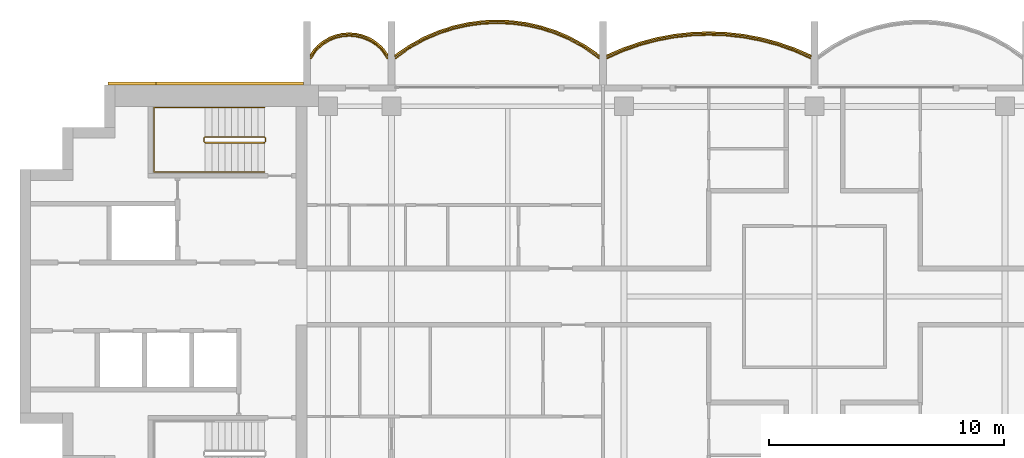
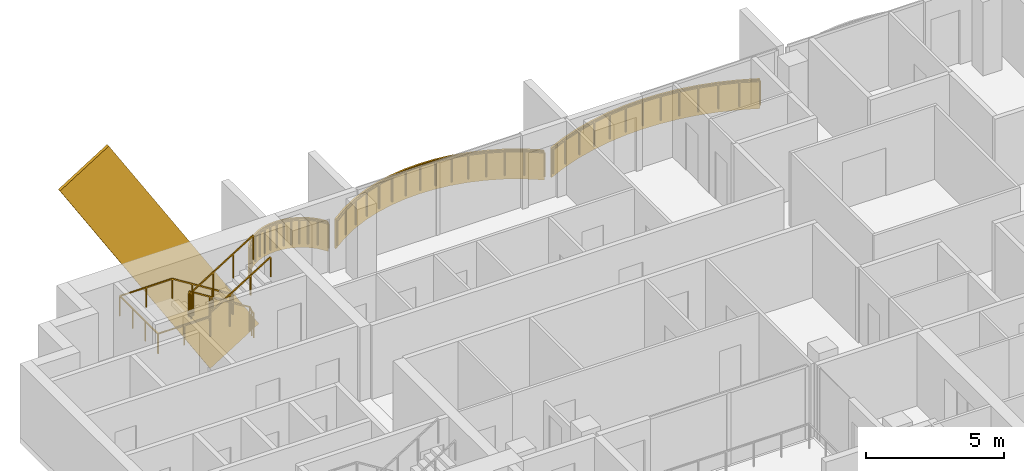
# One storey, part 14 of 16: 5 railings, 4 coverings.
"""IFC4 building model written with IfcOpenShell, lengths in metres."""

import ifcopenshell
import ifcopenshell.guid

model = None  # the IFC model being written
_history = None  # IfcOwnerHistory: only IFC2X3 demands one
_inside = {}  # id of a spatial element -> (the spatial element, [elements in it])
_under = {}  # id of a project, library or spatial element -> (it, [spatial elements below it])
_declared = {}  # id of a project -> (the project, [libraries it declares])
_typed = {}  # id of a type object -> (the type object, [elements of that type])
_made_of = {}  # id of a material, layer set ... -> (it, [elements and type objects made of it])


def new_model(schema):
    """Start an empty IFC model of exactly this schema.

    Asked for "IFC4X3", IfcOpenShell would pick the latest addendum, in which some entities
    have other attributes; the version numbers below select the first issue.
    IFC2X3 requires an IfcOwnerHistory on every rooted entity: one is made here for all.
    """
    global model, _history
    if schema == "IFC4X3":
        model = ifcopenshell.file(schema_version=(4, 3, 0, 0))
    else:
        model = ifcopenshell.file(schema=schema)
    _inside.clear()
    _under.clear()
    _declared.clear()
    _typed.clear()
    _made_of.clear()
    _history = None
    if model.schema == "IFC2X3":
        org = make("IfcOrganization", Name="unknown")
        user = make(
            "IfcPersonAndOrganization",
            ThePerson=make("IfcPerson", FamilyName="unknown"),
            TheOrganization=org,
        )
        app = make(
            "IfcApplication",
            ApplicationDeveloper=org,
            Version="unknown",
            ApplicationFullName="unknown",
            ApplicationIdentifier="unknown",
        )
        _history = make(
            "IfcOwnerHistory",
            OwningUser=user,
            OwningApplication=app,
            ChangeAction="ADDED",
            CreationDate=0,
        )
    return model


def make(cls, **values):
    """One entity of the class cls with the attributes given. An attribute that is None is left unset."""
    return model.create_entity(
        cls, **{name: value for name, value in values.items() if value is not None}
    )


def rooted(cls, **values):
    """An entity with a GlobalId (a new one), such as an element, a storey or a relation."""
    return make(cls, GlobalId=ifcopenshell.guid.new(), OwnerHistory=_history, **values)


def si_unit(unit_type, name, prefix=None):
    """IfcSIUnit, for example si_unit("LENGTHUNIT", "METRE", prefix="MILLI")."""
    return make("IfcSIUnit", UnitType=unit_type, Prefix=prefix, Name=name)


def assignment(units):
    """IfcUnitAssignment: the units of a project."""
    return None if units is None else make("IfcUnitAssignment", Units=units)


def point(xyz):
    """IfcCartesianPoint."""
    return None if xyz is None else make("IfcCartesianPoint", Coordinates=xyz)


def direction(xyz):
    """IfcDirection."""
    return None if xyz is None else make("IfcDirection", DirectionRatios=xyz)


def frame(location, z_axis=None, x_axis=None):
    """IfcAxis2Placement3D, a coordinate frame: its origin and axes. An axis left out is left unset."""
    return make(
        "IfcAxis2Placement3D",
        Location=point(location),
        Axis=direction(z_axis),
        RefDirection=direction(x_axis),
    )


def frame_2d(location, x_axis=None):
    """IfcAxis2Placement2D, a coordinate frame in the plane: its origin and x axis."""
    return make(
        "IfcAxis2Placement2D", Location=point(location), RefDirection=direction(x_axis)
    )


def origin():
    """The frame at (0, 0, 0) with its axes left unset."""
    return frame((0.0, 0.0, 0.0))


def origin_2d():
    """The frame at (0, 0) in the plane with its x axis left unset."""
    return frame_2d((0.0, 0.0))


def place(relative_to, where):
    """IfcLocalPlacement: puts the frame where relative to a parent placement (None: the world)."""
    return make(
        "IfcLocalPlacement", PlacementRelTo=relative_to, RelativePlacement=where
    )


def context(
    kind, dimensions, precision=None, world=None, true_north=None, identifier=None
):
    """IfcGeometricRepresentationContext, for example the 3D "Model" context."""
    return make(
        "IfcGeometricRepresentationContext",
        ContextIdentifier=identifier,
        ContextType=kind,
        CoordinateSpaceDimension=dimensions,
        Precision=precision,
        WorldCoordinateSystem=world,
        TrueNorth=true_north,
    )


def subcontext(parent, identifier, kind, view, scale=None):
    """IfcGeometricRepresentationSubContext, for example "Body" below "Model"."""
    return make(
        "IfcGeometricRepresentationSubContext",
        ContextIdentifier=identifier,
        ContextType=kind,
        ParentContext=parent,
        TargetScale=scale,
        TargetView=view,
    )


def project(units=None, contexts=None):
    """IfcProject with its units and contexts."""
    return rooted(
        "IfcProject",
        Name="project",
        RepresentationContexts=contexts,
        UnitsInContext=assignment(units),
    )


def spatial(cls, under=None, at=None, **own):
    """A site, building, storey or space (cls), placed at a placement, below another one or the project."""
    s = rooted(cls, ObjectPlacement=at, **own)
    if under is not None:
        _under.setdefault(under.id(), (under, []))[1].append(s)
    return s


def polyline(points):
    """IfcPolyline through the points."""
    return make("IfcPolyline", Points=[point(p) for p in points])


def profile(cls, at=None, kind="AREA", **sizes):
    """A parametric profile (cls). Its sizes go by their IFC names, for example OverallWidth=200.0."""
    return make(cls, ProfileType=kind, Position=at, **sizes)


def rectangle(**sizes):
    """IfcRectangleProfileDef."""
    return profile("IfcRectangleProfileDef", **sizes)


def outline(outer, holes=None, kind="AREA"):
    """IfcArbitraryClosedProfileDef: a profile drawn as a closed curve; with holes, ...WithVoids."""
    if holes is None:
        return make("IfcArbitraryClosedProfileDef", ProfileType=kind, OuterCurve=outer)
    return make(
        "IfcArbitraryProfileDefWithVoids",
        ProfileType=kind,
        OuterCurve=outer,
        InnerCurves=holes,
    )


def extrude(swept, where, along, depth):
    """IfcExtrudedAreaSolid: the profile swept, set in the frame where, extruded along a direction by depth."""
    return make(
        "IfcExtrudedAreaSolid",
        SweptArea=swept,
        Position=where,
        ExtrudedDirection=direction(along),
        Depth=depth,
    )


def shape(context_of_items, identifier, shape_type, items):
    """IfcShapeRepresentation: the items that make up one representation, for example the "Body"."""
    return make(
        "IfcShapeRepresentation",
        ContextOfItems=context_of_items,
        RepresentationIdentifier=identifier,
        RepresentationType=shape_type,
        Items=items,
    )


def material(Name=None, Category=None):
    """IfcMaterial."""
    return make("IfcMaterial", Name=Name, Category=Category)


def layer(
    of_material, thickness, ventilated=None, Name=None, Category=None, Priority=None
):
    """IfcMaterialLayer: one layer of a wall or slab, of a material (None: an air gap)."""
    return make(
        "IfcMaterialLayer",
        Material=of_material,
        LayerThickness=thickness,
        IsVentilated=ventilated,
        Name=Name,
        Category=Category,
        Priority=Priority,
    )


def layer_set(layers, Name=None):
    """IfcMaterialLayerSet."""
    return make("IfcMaterialLayerSet", MaterialLayers=layers, LayerSetName=Name)


def material_profile(
    of_material, cross_section, Name=None, Category=None, Priority=None
):
    """IfcMaterialProfile: a cross section and its material."""
    return make(
        "IfcMaterialProfile",
        Name=Name,
        Material=of_material,
        Profile=cross_section,
        Priority=Priority,
        Category=Category,
    )


def profile_set(profiles, Name=None, composite=None):
    """IfcMaterialProfileSet."""
    return make(
        "IfcMaterialProfileSet",
        Name=Name,
        MaterialProfiles=profiles,
        CompositeProfile=composite,
    )


def made_of(thing, what):
    """Note that an element or type object is made of a material, layer set ...; save() writes the relation."""
    if what is not None:
        _made_of.setdefault(what.id(), (what, []))[1].append(thing)
    return thing


def type_object(cls, material=None, **own):
    """A type object (cls), such as IfcWallType, which elements share."""
    return made_of(rooted(cls, **own), material)


def element(
    cls,
    number,
    at=None,
    inside=None,
    cuts=None,
    type_object=None,
    material=None,
    context=None,
    identifier="Body",
    shape_type=None,
    held_by="IfcProductDefinitionShape",
    body=None,
    shapes=None,
    **own,
):
    """One element of the class cls, such as IfcWall. Its Tag is "e" and its number.

    at: its placement. inside: the storey or other place that contains it. cuts: it is an
    opening in that element (IfcRelVoidsElement). A single representation is given by context,
    identifier, shape_type and body (its items); several are given by shapes. held_by: the class
    of the entity that holds the representations. save() writes the other relations.
    """
    e = rooted(cls, Tag="e%d" % number, ObjectPlacement=at, **own)
    if body is not None:
        shapes = [shape(context, identifier, shape_type, body)]
    if shapes is not None:
        e.Representation = make(held_by, Representations=shapes)
    if inside is not None:
        _inside.setdefault(inside.id(), (inside, []))[1].append(e)
    if cuts is not None:
        rooted(
            "IfcRelVoidsElement", RelatingBuildingElement=cuts, RelatedOpeningElement=e
        )
    if type_object is not None:
        _typed.setdefault(type_object.id(), (type_object, []))[1].append(e)
    return made_of(e, material)


def aggregate(whole, parts):
    """IfcRelAggregates: a whole, such as a stair, and the parts it consists of."""
    return rooted("IfcRelAggregates", RelatingObject=whole, RelatedObjects=parts)


def save(model, path):
    """Write the relations noted so far, then the file.

    IfcRelAggregates (storeys below a building ...), IfcRelContainedInSpatialStructure (elements
    in a storey), IfcRelDefinesByType, IfcRelAssociatesMaterial and IfcRelDeclares: one each for
    every whole, place, type object, material and project.
    """
    for whole, parts in _under.values():
        aggregate(whole, parts)
    for where, things in _inside.values():
        rooted(
            "IfcRelContainedInSpatialStructure",
            RelatedElements=things,
            RelatingStructure=where,
        )
    for kind, things in _typed.values():
        rooted("IfcRelDefinesByType", RelatedObjects=things, RelatingType=kind)
    for what, things in _made_of.values():
        rooted("IfcRelAssociatesMaterial", RelatedObjects=things, RelatingMaterial=what)
    for by, libraries in _declared.values():
        rooted("IfcRelDeclares", RelatingContext=by, RelatedDefinitions=libraries)
    model.write(path)


model = new_model("IFC4")

# Units and contexts
model_context = context("Model", 3, precision=1e-05, world=origin(), true_north=direction((0.0, 1.0)))
body_context = subcontext(model_context, "Body", "Model", "MODEL_VIEW")
ifc_project = project(units=[si_unit("LENGTHUNIT", "METRE"), si_unit("AREAUNIT", "SQUARE_METRE"), si_unit("VOLUMEUNIT", "CUBIC_METRE"), si_unit("PLANEANGLEUNIT", "RADIAN"), si_unit("MASSUNIT", "GRAM", prefix="KILO")], contexts=[model_context])

# Site, building, storey
site_placement = place(None, origin())
site = spatial("IfcSite", under=ifc_project, at=site_placement, CompositionType="ELEMENT")
building_placement = place(site_placement, origin())
building = spatial("IfcBuilding", under=site, at=building_placement, Name="Perihelion Cross Residences", CompositionType="ELEMENT")
storey_placement = place(building_placement, frame((0.0, 0.0, 250.0)))
storey = spatial("IfcBuildingStorey", under=building, at=storey_placement, Name="L63", CompositionType="ELEMENT", Elevation=250.0)

# Coverings
ifc_material_1 = material(Name="Bronze anodised aluminium", Category="aluminium")
ifc_layer = layer(ifc_material_1, 0.070068359375)
ifc_layer_set = layer_set([ifc_layer], Name="Balcony fascia 1300")
covering_type_1 = type_object("IfcCoveringType", Name="Balcony fascia 1300", PredefinedType="CLADDING", material=ifc_layer_set)
covering_1_placement = place(storey_placement, frame((0.0, 0.0, -0.199951171875)))
element("IfcCovering", 1, at=covering_1_placement, inside=storey, type_object=covering_type_1, Name="Fascia BF1 L63 north side east bay 2", PredefinedType="CLADDING", context=body_context, shape_type="SweptSolid", body=[
    extrude(outline(polyline([(-0.849365234375, 10.582275390625), (-1.57958984375, 10.83544921875), (-2.309814453125, 11.028076171875), (-3.039794921875, 11.1630859375), (-3.77001953125, 11.243408203125), (-4.5, 11.27001953125), (-5.22998046875, 11.243408203125), (-5.960205078125, 11.1630859375), (-6.690185546875, 11.028076171875), (-7.42041015625, 10.83544921875), (-8.150634765625, 10.582275390625), (-8.85009765625, 10.2763671875), (-8.85009765625, 10.199951171875), (-8.125, 10.51708984375), (-7.39990234375, 10.7685546875), (-6.675048828125, 10.959716796875), (-5.949951171875, 11.093994140625), (-5.22509765625, 11.173583984375), (-4.5, 11.199951171875), (-3.77490234375, 11.173583984375), (-3.050048828125, 11.093994140625), (-2.324951171875, 10.959716796875), (-1.60009765625, 10.7685546875), (-0.875, 10.51708984375), (-0.14990234375, 10.199951171875), (-0.14990234375, 10.2763671875), (-0.849365234375, 10.582275390625)])), origin(), (0.0, 0.0, 1.0), 1.300048828125),
])
covering_2_placement = place(storey_placement, frame((0.0, 0.0, -0.199951171875)))
element("IfcCovering", 2, at=covering_2_placement, inside=storey, type_object=covering_type_1, Name="Fascia BF1 L63 west side north bay 1", PredefinedType="CLADDING", context=body_context, shape_type="SweptSolid", body=[
    extrude(outline(polyline([(-9.734375, 10.694091796875), (-10.362060546875, 11.0419921875), (-10.989501953125, 11.313232421875), (-11.6171875, 11.516845703125), (-12.244873046875, 11.65869140625), (-12.872314453125, 11.742431640625), (-13.5, 11.77001953125), (-14.127685546875, 11.742431640625), (-14.755126953125, 11.65869140625), (-15.3828125, 11.516845703125), (-16.010498046875, 11.313232421875), (-16.637939453125, 11.0419921875), (-17.265625, 10.694091796875), (-17.85009765625, 10.285400390625), (-17.85009765625, 10.199951171875), (-17.228515625, 10.634765625), (-16.607177734375, 10.979248046875), (-15.985595703125, 11.247802734375), (-15.3642578125, 11.44921875), (-14.742919921875, 11.589599609375), (-14.121337890625, 11.672607421875), (-13.5, 11.699951171875), (-12.878662109375, 11.672607421875), (-12.257080078125, 11.589599609375), (-11.6357421875, 11.44921875), (-11.014404296875, 11.247802734375), (-10.392822265625, 10.979248046875), (-9.771484375, 10.634765625), (-9.14990234375, 10.199951171875), (-9.14990234375, 10.285400390625), (-9.734375, 10.694091796875)])), origin(), (0.0, 0.0, 1.0), 1.300048828125),
])
covering_3_placement = place(storey_placement, frame((0.0, 0.0, -0.199951171875)))
element("IfcCovering", 3, at=covering_3_placement, inside=storey, type_object=covering_type_1, Name="Fascia BF1 L63 west side north bay 2", PredefinedType="CLADDING", context=body_context, shape_type="SweptSolid", body=[
    extrude(outline(polyline([(-18.373779296875, 10.616455078125), (-18.6591796875, 10.86328125), (-18.9443359375, 11.031494140625), (-19.229736328125, 11.142578125), (-19.514892578125, 11.206298828125), (-19.800048828125, 11.22705078125), (-20.085205078125, 11.206298828125), (-20.370361328125, 11.142578125), (-20.655517578125, 11.031494140625), (-20.94091796875, 10.86328125), (-21.226318359375, 10.616455078125), (-21.449951171875, 10.31689453125), (-21.449951171875, 10.199951171875), (-21.175048828125, 10.568603515625), (-20.89990234375, 10.806396484375), (-20.625, 10.96875), (-20.35009765625, 11.07568359375), (-20.074951171875, 11.136962890625), (-19.800048828125, 11.156982421875), (-19.52490234375, 11.136962890625), (-19.25, 11.07568359375), (-18.97509765625, 10.96875), (-18.699951171875, 10.806396484375), (-18.425048828125, 10.568603515625), (-18.14990234375, 10.199951171875), (-18.14990234375, 10.31689453125), (-18.373779296875, 10.616455078125)])), origin(), (0.0, 0.0, 1.0), 1.300048828125),
])

# Railings
ifc_material_2 = material(Name="Bronze anodised aluminium", Category="aluminium")
railing_type_1 = type_object("IfcRailingType", Name="Balcony guard 1100", PredefinedType="GUARDRAIL", material=ifc_material_2)
railing_1_placement = place(storey_placement, frame((-0.175048828125, 10.139892578125, 0.0)))
element("IfcRailing", 4, at=railing_1_placement, inside=storey, type_object=railing_type_1, Name="Guard GU1 L63 north side east bay 2 balcony", PredefinedType="GUARDRAIL", context=body_context, shape_type="SweptSolid", body=[
    extrude(rectangle(XDim=0.048095703125, YDim=0.048095703125, at=origin_2d()), frame((0.0, 0.0, 1.076171875), z_axis=(-0.910866309087, 0.412701547089, 0.0), x_axis=(-0.412701547089, -0.910866309087, 0.0)), (0.0, 0.0, 1.0), 0.7685546875),
    extrude(rectangle(XDim=0.048095703125, YDim=0.048095703125, at=origin_2d()), frame((-0.699951171875, 0.317138671875, 1.076171875), z_axis=(-0.944796812452, 0.327656807012, 0.0), x_axis=(-0.327656807012, -0.944796812452, 0.0)), (0.0, 0.0, 1.0), 0.767578125),
    extrude(rectangle(XDim=0.048095703125, YDim=0.048095703125, at=origin_2d()), frame((-1.425048828125, 0.568603515625, 1.076171875), z_axis=(-0.966939404945, 0.255006249266, 0.0), x_axis=(-0.255006249266, -0.966939404945, 0.0)), (0.0, 0.0, 1.0), 0.749755859375),
    extrude(rectangle(XDim=0.048095703125, YDim=0.048095703125, at=origin_2d()), frame((-2.14990234375, 0.759765625, 1.076171875), z_axis=(-0.983282004984, 0.182089260182, 0.0), x_axis=(-0.182089260182, -0.983282004984, 0.0)), (0.0, 0.0, 1.0), 0.7373046875),
    extrude(rectangle(XDim=0.048095703125, YDim=0.048095703125, at=origin_2d()), frame((-2.875, 0.89404296875, 1.076171875), z_axis=(-0.994025805622, 0.109145305703, 0.0), x_axis=(-0.109145305703, -0.994025805622, 0.0)), (0.0, 0.0, 1.0), 0.729248046875),
    extrude(rectangle(XDim=0.048095703125, YDim=0.048095703125, at=origin_2d()), frame((-3.599853515625, 0.9736328125, 1.076171875), z_axis=(-0.999339497946, 0.036339618107, 0.0), x_axis=(-0.036339618107, -0.999339497946, 0.0)), (0.0, 0.0, 1.0), 0.7255859375),
    extrude(rectangle(XDim=0.048095703125, YDim=0.048095703125, at=origin_2d()), frame((-4.324951171875, 1.0, 1.076171875), z_axis=(-0.999339497946, -0.036339618107, 0.0), x_axis=(0.036339618107, -0.999339497946, 0.0)), (0.0, 0.0, 1.0), 0.7255859375),
    extrude(rectangle(XDim=0.048095703125, YDim=0.048095703125, at=origin_2d()), frame((-5.050048828125, 0.9736328125, 1.076171875), z_axis=(-0.994025805622, -0.109145305703, 0.0), x_axis=(0.109145305703, -0.994025805622, 0.0)), (0.0, 0.0, 1.0), 0.729248046875),
    extrude(rectangle(XDim=0.048095703125, YDim=0.048095703125, at=origin_2d()), frame((-5.77490234375, 0.89404296875, 1.076171875), z_axis=(-0.983282004984, -0.182089260182, 0.0), x_axis=(0.182089260182, -0.983282004984, 0.0)), (0.0, 0.0, 1.0), 0.7373046875),
    extrude(rectangle(XDim=0.048095703125, YDim=0.048095703125, at=origin_2d()), frame((-6.5, 0.759765625, 1.076171875), z_axis=(-0.966939404945, -0.255006249266, 0.0), x_axis=(0.255006249266, -0.966939404945, 0.0)), (0.0, 0.0, 1.0), 0.749755859375),
    extrude(rectangle(XDim=0.048095703125, YDim=0.048095703125, at=origin_2d()), frame((-7.224853515625, 0.568603515625, 1.076171875), z_axis=(-0.944796812452, -0.327656807012, 0.0), x_axis=(0.327656807012, -0.944796812452, 0.0)), (0.0, 0.0, 1.0), 0.767578125),
    extrude(rectangle(XDim=0.048095703125, YDim=0.048095703125, at=origin_2d()), frame((-7.949951171875, 0.317138671875, 1.076171875), z_axis=(-0.910866309087, -0.412701547089, 0.0), x_axis=(0.412701547089, -0.910866309087, 0.0)), (0.0, 0.0, 1.0), 0.7685546875),
    extrude(rectangle(XDim=0.0419921875, YDim=0.0419921875, at=origin_2d()), origin(), (0.0, 0.0, 1.0), 1.052001953125),
    extrude(rectangle(XDim=0.0419921875, YDim=0.0419921875, at=origin_2d()), frame((-0.699951171875, 0.317138671875, 0.0)), (0.0, 0.0, 1.0), 1.052001953125),
    extrude(rectangle(XDim=0.0419921875, YDim=0.0419921875, at=origin_2d()), frame((-1.425048828125, 0.568603515625, 0.0)), (0.0, 0.0, 1.0), 1.052001953125),
    extrude(rectangle(XDim=0.0419921875, YDim=0.0419921875, at=origin_2d()), frame((-2.14990234375, 0.759765625, 0.0)), (0.0, 0.0, 1.0), 1.052001953125),
    extrude(rectangle(XDim=0.0419921875, YDim=0.0419921875, at=origin_2d()), frame((-2.875, 0.89404296875, 0.0)), (0.0, 0.0, 1.0), 1.052001953125),
    extrude(rectangle(XDim=0.0419921875, YDim=0.0419921875, at=origin_2d()), frame((-3.599853515625, 0.9736328125, 0.0)), (0.0, 0.0, 1.0), 1.052001953125),
    extrude(rectangle(XDim=0.0419921875, YDim=0.0419921875, at=origin_2d()), frame((-4.324951171875, 1.0, 0.0)), (0.0, 0.0, 1.0), 1.052001953125),
    extrude(rectangle(XDim=0.0419921875, YDim=0.0419921875, at=origin_2d()), frame((-5.050048828125, 0.9736328125, 0.0)), (0.0, 0.0, 1.0), 1.052001953125),
    extrude(rectangle(XDim=0.0419921875, YDim=0.0419921875, at=origin_2d()), frame((-5.77490234375, 0.89404296875, 0.0)), (0.0, 0.0, 1.0), 1.052001953125),
    extrude(rectangle(XDim=0.0419921875, YDim=0.0419921875, at=origin_2d()), frame((-6.5, 0.759765625, 0.0)), (0.0, 0.0, 1.0), 1.052001953125),
    extrude(rectangle(XDim=0.0419921875, YDim=0.0419921875, at=origin_2d()), frame((-7.224853515625, 0.568603515625, 0.0)), (0.0, 0.0, 1.0), 1.052001953125),
    extrude(rectangle(XDim=0.0419921875, YDim=0.0419921875, at=origin_2d()), frame((-7.949951171875, 0.317138671875, 0.0)), (0.0, 0.0, 1.0), 1.052001953125),
    extrude(rectangle(XDim=0.0419921875, YDim=0.0419921875, at=origin_2d()), frame((-8.64990234375, 0.0, 0.0)), (0.0, 0.0, 1.0), 1.052001953125),
])
railing_2_placement = place(storey_placement, frame((-9.175048828125, 10.139892578125, 0.0)))
element("IfcRailing", 5, at=railing_2_placement, inside=storey, type_object=railing_type_1, Name="Guard GU1 L63 west side north bay 1 balcony", PredefinedType="GUARDRAIL", context=body_context, shape_type="SweptSolid", body=[
    extrude(rectangle(XDim=0.048095703125, YDim=0.048095703125, at=origin_2d()), frame((0.0, 0.0, 1.076171875), z_axis=(-0.808063294873, 0.589095672603, 0.0), x_axis=(-0.589095672603, -0.808063294873, 0.0)), (0.0, 0.0, 1.0), 0.738037109375),
    extrude(rectangle(XDim=0.048095703125, YDim=0.048095703125, at=origin_2d()), frame((-0.596435546875, 0.434814453125, 1.076171875), z_axis=(-0.874578399268, 0.484884134133, 0.0), x_axis=(-0.484884134133, -0.874578399268, 0.0)), (0.0, 0.0, 1.0), 0.71044921875),
    extrude(rectangle(XDim=0.048095703125, YDim=0.048095703125, at=origin_2d()), frame((-1.2177734375, 0.779296875, 1.076171875), z_axis=(-0.917984792895, 0.396615582162, 0.0), x_axis=(-0.396615582162, -0.917984792895, 0.0)), (0.0, 0.0, 1.0), 0.677001953125),
    extrude(rectangle(XDim=0.048095703125, YDim=0.048095703125, at=origin_2d()), frame((-1.83935546875, 1.0478515625, 1.076171875), z_axis=(-0.951157585372, 0.308705762482, 0.0), x_axis=(-0.308705762482, -0.951157585372, 0.0)), (0.0, 0.0, 1.0), 0.6533203125),
    extrude(rectangle(XDim=0.048095703125, YDim=0.048095703125, at=origin_2d()), frame((-2.460693359375, 1.24951171875, 1.076171875), z_axis=(-0.975414431917, 0.220378506229, 0.0), x_axis=(-0.220378506229, -0.975414431917, 0.0)), (0.0, 0.0, 1.0), 0.636962890625),
    extrude(rectangle(XDim=0.048095703125, YDim=0.048095703125, at=origin_2d()), frame((-3.08203125, 1.389892578125, 1.076171875), z_axis=(-0.991251686862, 0.131985201039, 0.0), x_axis=(-0.131985201039, -0.991251686862, 0.0)), (0.0, 0.0, 1.0), 0.626953125),
    extrude(rectangle(XDim=0.048095703125, YDim=0.048095703125, at=origin_2d()), frame((-3.70361328125, 1.47265625, 1.076171875), z_axis=(-0.999033058467, 0.04396530552, 0.0), x_axis=(-0.04396530552, -0.999033058467, 0.0)), (0.0, 0.0, 1.0), 0.621826171875),
    extrude(rectangle(XDim=0.048095703125, YDim=0.048095703125, at=origin_2d()), frame((-4.324951171875, 1.5, 1.076171875), z_axis=(-0.999033058467, -0.04396530552, 0.0), x_axis=(0.04396530552, -0.999033058467, 0.0)), (0.0, 0.0, 1.0), 0.621826171875),
    extrude(rectangle(XDim=0.048095703125, YDim=0.048095703125, at=origin_2d()), frame((-4.9462890625, 1.47265625, 1.076171875), z_axis=(-0.991251686862, -0.131985201039, 0.0), x_axis=(0.131985201039, -0.991251686862, 0.0)), (0.0, 0.0, 1.0), 0.626953125),
    extrude(rectangle(XDim=0.048095703125, YDim=0.048095703125, at=origin_2d()), frame((-5.56787109375, 1.389892578125, 1.076171875), z_axis=(-0.975414431917, -0.220378506229, 0.0), x_axis=(0.220378506229, -0.975414431917, 0.0)), (0.0, 0.0, 1.0), 0.636962890625),
    extrude(rectangle(XDim=0.048095703125, YDim=0.048095703125, at=origin_2d()), frame((-6.189208984375, 1.24951171875, 1.076171875), z_axis=(-0.951157585372, -0.308705762482, 0.0), x_axis=(0.308705762482, -0.951157585372, 0.0)), (0.0, 0.0, 1.0), 0.6533203125),
    extrude(rectangle(XDim=0.048095703125, YDim=0.048095703125, at=origin_2d()), frame((-6.810546875, 1.0478515625, 1.076171875), z_axis=(-0.917984792895, -0.396615582162, 0.0), x_axis=(0.396615582162, -0.917984792895, 0.0)), (0.0, 0.0, 1.0), 0.677001953125),
    extrude(rectangle(XDim=0.048095703125, YDim=0.048095703125, at=origin_2d()), frame((-7.43212890625, 0.779296875, 1.076171875), z_axis=(-0.874578399268, -0.484884134133, 0.0), x_axis=(0.484884134133, -0.874578399268, 0.0)), (0.0, 0.0, 1.0), 0.71044921875),
    extrude(rectangle(XDim=0.048095703125, YDim=0.048095703125, at=origin_2d()), frame((-8.053466796875, 0.434814453125, 1.076171875), z_axis=(-0.808063294873, -0.589095672603, 0.0), x_axis=(0.589095672603, -0.808063294873, 0.0)), (0.0, 0.0, 1.0), 0.738037109375),
    extrude(rectangle(XDim=0.0419921875, YDim=0.0419921875, at=origin_2d()), origin(), (0.0, 0.0, 1.0), 1.052001953125),
    extrude(rectangle(XDim=0.0419921875, YDim=0.0419921875, at=origin_2d()), frame((-0.596435546875, 0.434814453125, 0.0)), (0.0, 0.0, 1.0), 1.052001953125),
    extrude(rectangle(XDim=0.0419921875, YDim=0.0419921875, at=origin_2d()), frame((-1.2177734375, 0.779296875, 0.0)), (0.0, 0.0, 1.0), 1.052001953125),
    extrude(rectangle(XDim=0.0419921875, YDim=0.0419921875, at=origin_2d()), frame((-1.83935546875, 1.0478515625, 0.0)), (0.0, 0.0, 1.0), 1.052001953125),
    extrude(rectangle(XDim=0.0419921875, YDim=0.0419921875, at=origin_2d()), frame((-2.460693359375, 1.24951171875, 0.0)), (0.0, 0.0, 1.0), 1.052001953125),
    extrude(rectangle(XDim=0.0419921875, YDim=0.0419921875, at=origin_2d()), frame((-3.08203125, 1.389892578125, 0.0)), (0.0, 0.0, 1.0), 1.052001953125),
    extrude(rectangle(XDim=0.0419921875, YDim=0.0419921875, at=origin_2d()), frame((-3.70361328125, 1.47265625, 0.0)), (0.0, 0.0, 1.0), 1.052001953125),
    extrude(rectangle(XDim=0.0419921875, YDim=0.0419921875, at=origin_2d()), frame((-4.324951171875, 1.5, 0.0)), (0.0, 0.0, 1.0), 1.052001953125),
    extrude(rectangle(XDim=0.0419921875, YDim=0.0419921875, at=origin_2d()), frame((-4.9462890625, 1.47265625, 0.0)), (0.0, 0.0, 1.0), 1.052001953125),
    extrude(rectangle(XDim=0.0419921875, YDim=0.0419921875, at=origin_2d()), frame((-5.56787109375, 1.389892578125, 0.0)), (0.0, 0.0, 1.0), 1.052001953125),
    extrude(rectangle(XDim=0.0419921875, YDim=0.0419921875, at=origin_2d()), frame((-6.189208984375, 1.24951171875, 0.0)), (0.0, 0.0, 1.0), 1.052001953125),
    extrude(rectangle(XDim=0.0419921875, YDim=0.0419921875, at=origin_2d()), frame((-6.810546875, 1.0478515625, 0.0)), (0.0, 0.0, 1.0), 1.052001953125),
    extrude(rectangle(XDim=0.0419921875, YDim=0.0419921875, at=origin_2d()), frame((-7.43212890625, 0.779296875, 0.0)), (0.0, 0.0, 1.0), 1.052001953125),
    extrude(rectangle(XDim=0.0419921875, YDim=0.0419921875, at=origin_2d()), frame((-8.053466796875, 0.434814453125, 0.0)), (0.0, 0.0, 1.0), 1.052001953125),
    extrude(rectangle(XDim=0.0419921875, YDim=0.0419921875, at=origin_2d()), frame((-8.64990234375, 0.0, 0.0)), (0.0, 0.0, 1.0), 1.052001953125),
])
railing_3_placement = place(storey_placement, frame((-18.175048828125, 10.139892578125, 0.0)))
element("IfcRailing", 6, at=railing_3_placement, inside=storey, type_object=railing_type_1, Name="Guard GU1 L63 west side north bay 2 balcony", PredefinedType="GUARDRAIL", context=body_context, shape_type="SweptSolid", body=[
    extrude(rectangle(XDim=0.048095703125, YDim=0.048095703125, at=origin_2d()), frame((0.0, 0.0, 1.076171875), z_axis=(-0.561260132269, 0.827639452857, 0.0), x_axis=(-0.827639452857, -0.561260132269, 0.0)), (0.0, 0.0, 1.0), 0.4453125),
    extrude(rectangle(XDim=0.048095703125, YDim=0.048095703125, at=origin_2d()), frame((-0.25, 0.36865234375, 1.076171875), z_axis=(-0.756309278473, 0.654214242658, 0.0), x_axis=(-0.654214242658, -0.756309278473, 0.0)), (0.0, 0.0, 1.0), 0.363525390625),
    extrude(rectangle(XDim=0.048095703125, YDim=0.048095703125, at=origin_2d()), frame((-0.52490234375, 0.6064453125, 1.076171875), z_axis=(-0.861245845072, 0.508188542123, 0.0), x_axis=(-0.508188542123, -0.861245845072, 0.0)), (0.0, 0.0, 1.0), 0.319580078125),
    extrude(rectangle(XDim=0.048095703125, YDim=0.048095703125, at=origin_2d()), frame((-0.800048828125, 0.768798828125, 1.076171875), z_axis=(-0.931973602183, 0.362526143656, 0.0), x_axis=(-0.362526143656, -0.931973602183, 0.0)), (0.0, 0.0, 1.0), 0.294921875),
    extrude(rectangle(XDim=0.048095703125, YDim=0.048095703125, at=origin_2d()), frame((-1.074951171875, 0.875732421875, 1.076171875), z_axis=(-0.976044077717, 0.217572880557, 0.0), x_axis=(-0.217572880557, -0.976044077717, 0.0)), (0.0, 0.0, 1.0), 0.28173828125),
    extrude(rectangle(XDim=0.048095703125, YDim=0.048095703125, at=origin_2d()), frame((-1.349853515625, 0.93701171875, 1.076171875), z_axis=(-0.997363488337, 0.072567707226, 0.0), x_axis=(-0.072567707226, -0.997363488337, 0.0)), (0.0, 0.0, 1.0), 0.27587890625),
    extrude(rectangle(XDim=0.048095703125, YDim=0.048095703125, at=origin_2d()), frame((-1.625, 0.95703125, 1.076171875), z_axis=(-0.997358821833, -0.072631814734, 0.0), x_axis=(0.072631814734, -0.997358821833, 0.0)), (0.0, 0.0, 1.0), 0.275634765625),
    extrude(rectangle(XDim=0.048095703125, YDim=0.048095703125, at=origin_2d()), frame((-1.89990234375, 0.93701171875, 1.076171875), z_axis=(-0.976085059389, -0.21738895289, 0.0), x_axis=(0.21738895289, -0.976085059389, 0.0)), (0.0, 0.0, 1.0), 0.281982421875),
    extrude(rectangle(XDim=0.048095703125, YDim=0.048095703125, at=origin_2d()), frame((-2.175048828125, 0.875732421875, 1.076171875), z_axis=(-0.931973602183, -0.362526143656, 0.0), x_axis=(0.362526143656, -0.931973602183, 0.0)), (0.0, 0.0, 1.0), 0.294921875),
    extrude(rectangle(XDim=0.048095703125, YDim=0.048095703125, at=origin_2d()), frame((-2.449951171875, 0.768798828125, 1.076171875), z_axis=(-0.861048292884, -0.508523192511, 0.0), x_axis=(0.508523192511, -0.861048292884, 0.0)), (0.0, 0.0, 1.0), 0.3193359375),
    extrude(rectangle(XDim=0.048095703125, YDim=0.048095703125, at=origin_2d()), frame((-2.724853515625, 0.6064453125, 1.076171875), z_axis=(-0.756596535164, -0.653882009982, 0.0), x_axis=(0.653882009982, -0.756596535164, 0.0)), (0.0, 0.0, 1.0), 0.36376953125),
    extrude(rectangle(XDim=0.048095703125, YDim=0.048095703125, at=origin_2d()), frame((-3.0, 0.36865234375, 1.076171875), z_axis=(-0.561260132269, -0.827639452857, 0.0), x_axis=(0.827639452857, -0.561260132269, 0.0)), (0.0, 0.0, 1.0), 0.4453125),
    extrude(rectangle(XDim=0.0419921875, YDim=0.0419921875, at=origin_2d()), origin(), (0.0, 0.0, 1.0), 1.052001953125),
    extrude(rectangle(XDim=0.0419921875, YDim=0.0419921875, at=origin_2d()), frame((-0.25, 0.36865234375, 0.0)), (0.0, 0.0, 1.0), 1.052001953125),
    extrude(rectangle(XDim=0.0419921875, YDim=0.0419921875, at=origin_2d()), frame((-0.52490234375, 0.6064453125, 0.0)), (0.0, 0.0, 1.0), 1.052001953125),
    extrude(rectangle(XDim=0.0419921875, YDim=0.0419921875, at=origin_2d()), frame((-0.800048828125, 0.768798828125, 0.0)), (0.0, 0.0, 1.0), 1.052001953125),
    extrude(rectangle(XDim=0.0419921875, YDim=0.0419921875, at=origin_2d()), frame((-1.074951171875, 0.875732421875, 0.0)), (0.0, 0.0, 1.0), 1.052001953125),
    extrude(rectangle(XDim=0.0419921875, YDim=0.0419921875, at=origin_2d()), frame((-1.349853515625, 0.93701171875, 0.0)), (0.0, 0.0, 1.0), 1.052001953125),
    extrude(rectangle(XDim=0.0419921875, YDim=0.0419921875, at=origin_2d()), frame((-1.625, 0.95703125, 0.0)), (0.0, 0.0, 1.0), 1.052001953125),
    extrude(rectangle(XDim=0.0419921875, YDim=0.0419921875, at=origin_2d()), frame((-1.89990234375, 0.93701171875, 0.0)), (0.0, 0.0, 1.0), 1.052001953125),
    extrude(rectangle(XDim=0.0419921875, YDim=0.0419921875, at=origin_2d()), frame((-2.175048828125, 0.875732421875, 0.0)), (0.0, 0.0, 1.0), 1.052001953125),
    extrude(rectangle(XDim=0.0419921875, YDim=0.0419921875, at=origin_2d()), frame((-2.449951171875, 0.768798828125, 0.0)), (0.0, 0.0, 1.0), 1.052001953125),
    extrude(rectangle(XDim=0.0419921875, YDim=0.0419921875, at=origin_2d()), frame((-2.724853515625, 0.6064453125, 0.0)), (0.0, 0.0, 1.0), 1.052001953125),
    extrude(rectangle(XDim=0.0419921875, YDim=0.0419921875, at=origin_2d()), frame((-3.0, 0.36865234375, 0.0)), (0.0, 0.0, 1.0), 1.052001953125),
    extrude(rectangle(XDim=0.0419921875, YDim=0.0419921875, at=origin_2d()), frame((-3.25, 0.0, 0.0)), (0.0, 0.0, 1.0), 1.052001953125),
])

# Covering
ifc_material_3 = material(Name="Bronze anodised aluminium", Category="aluminium")
ifc_material_profile = material_profile(ifc_material_3, rectangle(XDim=0.125, YDim=2.39990234375, at=origin_2d()), Name="Bronze cladding band 2400")
ifc_profile_set = profile_set([ifc_material_profile], Name="Bronze anodised aluminium")
covering_type_2 = type_object("IfcCoveringType", Name="Bronze cladding band 2400", PredefinedType="CLADDING", material=ifc_profile_set)
covering_4_placement = place(storey_placement, frame((-22.767578125, 9.0625, -2.029052734375), z_axis=(-0.529915403603, 0.0, 0.848050508534), x_axis=(0.0, -1.0, 0.0)))
element("IfcCovering", 7, at=covering_4_placement, inside=storey, type_object=covering_type_2, Name="Core cladding band, west core", PredefinedType="CLADDING", context=body_context, shape_type="SweptSolid", body=[
    extrude(rectangle(XDim=0.125, YDim=2.39990234375, at=origin_2d()), origin(), (0.0, 0.0, 1.0), 11.822021484375),
])

# Railings
ifc_material_4 = material(Name="Stainless steel", Category="steel")
railing_type_2 = type_object("IfcRailingType", Name="Stair guard 1100", PredefinedType="GUARDRAIL", material=ifc_material_4)
railing_4_placement = place(storey_placement, frame((-23.35009765625, 6.60009765625, 0.0)))
element("IfcRailing", 8, at=railing_4_placement, inside=storey, type_object=railing_type_2, Name="L63 ST-W1 stair guard 1", PredefinedType="GUARDRAIL", context=body_context, shape_type="SweptSolid", body=[
    extrude(rectangle(XDim=0.048095703125, YDim=0.048095703125, at=origin_2d()), frame((0.0, 0.0, 1.076171875), z_axis=(0.0, 1.0, 0.0), x_axis=(-1.0, 0.0, 0.0)), (0.0, 0.0, 1.0), 0.14990234375),
    extrude(rectangle(XDim=0.048095703125, YDim=0.048095703125, at=origin_2d()), frame((0.0, 0.14990234375, 1.076171875), z_axis=(-0.263862480399, 0.265155923931, 0.927399011991), x_axis=(-0.708833529934, -0.705375805398, 0.0)), (0.0, 0.0, 1.0), 0.188720703125),
    extrude(rectangle(XDim=0.048095703125, YDim=0.048095703125, at=origin_2d()), frame((-0.0498046875, 0.199951171875, 1.2509765625), z_axis=(-0.848007534815, 0.0, 0.529984170421), x_axis=(0.0, -1.0, 0.0)), (0.0, 0.0, 1.0), 2.9716796875),
    extrude(rectangle(XDim=0.048095703125, YDim=0.048095703125, at=origin_2d()), frame((-2.56982421875, 0.199951171875, 2.826171875), z_axis=(-0.707106781187, -0.707106781187, 0.0), x_axis=(0.707106781187, -0.707106781187, 0.0)), (0.0, 0.0, 1.0), 0.07080078125),
    extrude(rectangle(XDim=0.048095703125, YDim=0.048095703125, at=origin_2d()), frame((-2.619873046875, 0.14990234375, 2.826171875), z_axis=(0.0, -1.0, 0.0), x_axis=(1.0, 0.0, 0.0)), (0.0, 0.0, 1.0), 0.14990234375),
    extrude(rectangle(XDim=0.048095703125, YDim=0.048095703125, at=origin_2d()), frame((-2.619873046875, 0.0, 2.826171875), z_axis=(0.265065253269, -0.265065253269, 0.927081885822), x_axis=(0.707106781187, 0.707106781187, 0.0)), (0.0, 0.0, 1.0), 0.188720703125),
    extrude(rectangle(XDim=0.048095703125, YDim=0.048095703125, at=origin_2d()), frame((-2.56982421875, -0.050048828125, 3.0009765625), z_axis=(0.848007534815, 0.0, 0.529984170421), x_axis=(0.0, 1.0, 0.0)), (0.0, 0.0, 1.0), 2.9716796875),
    extrude(rectangle(XDim=0.0419921875, YDim=0.0419921875, at=origin_2d()), origin(), (0.0, 0.0, 1.0), 1.052001953125),
    extrude(rectangle(XDim=0.0419921875, YDim=0.0419921875, at=origin_2d()), frame((0.0, 0.14990234375, 0.0)), (0.0, 0.0, 1.0), 1.052001953125),
    extrude(rectangle(XDim=0.0419921875, YDim=0.0419921875, at=origin_2d()), frame((-0.0498046875, 0.199951171875, 0.175048828125)), (0.0, 0.0, 1.0), 1.052001953125),
    extrude(rectangle(XDim=0.0419921875, YDim=0.0419921875, at=origin_2d()), frame((-0.889892578125, 0.199951171875, 0.699951171875)), (0.0, 0.0, 1.0), 1.052001953125),
    extrude(rectangle(XDim=0.0419921875, YDim=0.0419921875, at=origin_2d()), frame((-1.729736328125, 0.199951171875, 1.22509765625)), (0.0, 0.0, 1.0), 1.052001953125),
    extrude(rectangle(XDim=0.0419921875, YDim=0.0419921875, at=origin_2d()), frame((-2.56982421875, 0.199951171875, 1.75)), (0.0, 0.0, 1.0), 1.052001953125),
    extrude(rectangle(XDim=0.0419921875, YDim=0.0419921875, at=origin_2d()), frame((-2.619873046875, 0.14990234375, 1.75)), (0.0, 0.0, 1.0), 1.052001953125),
    extrude(rectangle(XDim=0.0419921875, YDim=0.0419921875, at=origin_2d()), frame((-2.619873046875, 0.0, 1.75)), (0.0, 0.0, 1.0), 1.052001953125),
    extrude(rectangle(XDim=0.0419921875, YDim=0.0419921875, at=origin_2d()), frame((-2.56982421875, -0.050048828125, 1.925048828125)), (0.0, 0.0, 1.0), 1.052001953125),
    extrude(rectangle(XDim=0.0419921875, YDim=0.0419921875, at=origin_2d()), frame((-1.729736328125, -0.050048828125, 2.449951171875)), (0.0, 0.0, 1.0), 1.052001953125),
    extrude(rectangle(XDim=0.0419921875, YDim=0.0419921875, at=origin_2d()), frame((-0.889892578125, -0.050048828125, 2.97509765625)), (0.0, 0.0, 1.0), 1.052001953125),
    extrude(rectangle(XDim=0.0419921875, YDim=0.0419921875, at=origin_2d()), frame((-0.0498046875, -0.050048828125, 3.5)), (0.0, 0.0, 1.0), 1.052001953125),
])
ifc_material_5 = material(Name="Stainless steel", Category="steel")
railing_type_3 = type_object("IfcRailingType", Name="Stair handrail 900", PredefinedType="HANDRAIL", material=ifc_material_5)
railing_5_placement = place(storey_placement, frame((-23.39990234375, 8.050048828125, 0.175048828125)))
element("IfcRailing", 9, at=railing_5_placement, inside=storey, type_object=railing_type_3, Name="L63 ST-W1 stair handrail 1", PredefinedType="HANDRAIL", context=body_context, shape_type="SweptSolid", body=[
    extrude(rectangle(XDim=0.048095703125, YDim=0.048095703125, at=origin_2d()), frame((0.0, 0.0, 0.8759765625), z_axis=(-0.848007534815, 0.0, 0.529984170421), x_axis=(0.0, -1.0, 0.0)), (0.0, 0.0, 1.0), 2.9716796875),
    extrude(rectangle(XDim=0.048095703125, YDim=0.048095703125, at=origin_2d()), frame((-2.52001953125, 0.0, 2.45068359375), z_axis=(-1.0, 0.0, 0.0), x_axis=(0.0, -1.0, 0.0)), (0.0, 0.0, 1.0), 2.18017578125),
    extrude(rectangle(XDim=0.048095703125, YDim=0.048095703125, at=origin_2d()), frame((-4.7001953125, 0.0, 2.45068359375), z_axis=(0.0, -1.0, 0.0), x_axis=(1.0, 0.0, 0.0)), (0.0, 0.0, 1.0), 2.75),
    extrude(rectangle(XDim=0.048095703125, YDim=0.048095703125, at=origin_2d()), frame((-4.7001953125, -2.75, 2.45068359375), z_axis=(1.0, 0.0, 0.0), x_axis=(0.0, 1.0, 0.0)), (0.0, 0.0, 1.0), 2.18017578125),
    extrude(rectangle(XDim=0.048095703125, YDim=0.048095703125, at=origin_2d()), frame((-2.52001953125, -2.75, 2.45068359375), z_axis=(0.0, 0.0, 1.0), x_axis=(1.0, 0.0, 0.0)), (0.0, 0.0, 1.0), 0.175048828125),
    extrude(rectangle(XDim=0.048095703125, YDim=0.048095703125, at=origin_2d()), frame((-2.52001953125, -2.75, 2.6259765625), z_axis=(0.848007534815, 0.0, 0.529984170421), x_axis=(0.0, 1.0, 0.0)), (0.0, 0.0, 1.0), 2.9716796875),
    extrude(rectangle(XDim=0.0419921875, YDim=0.0419921875, at=origin_2d()), origin(), (0.0, 0.0, 1.0), 0.851806640625),
    extrude(rectangle(XDim=0.0419921875, YDim=0.0419921875, at=origin_2d()), frame((-0.840087890625, 0.0, 0.52490234375)), (0.0, 0.0, 1.0), 0.851806640625),
    extrude(rectangle(XDim=0.0419921875, YDim=0.0419921875, at=origin_2d()), frame((-1.679931640625, 0.0, 1.050048828125)), (0.0, 0.0, 1.0), 0.851806640625),
    extrude(rectangle(XDim=0.0419921875, YDim=0.0419921875, at=origin_2d()), frame((-2.52001953125, 0.0, 1.574951171875)), (0.0, 0.0, 1.0), 0.851806640625),
    extrude(rectangle(XDim=0.0419921875, YDim=0.0419921875, at=origin_2d()), frame((-3.610107421875, 0.0, 1.574951171875)), (0.0, 0.0, 1.0), 0.851806640625),
    extrude(rectangle(XDim=0.0419921875, YDim=0.0419921875, at=origin_2d()), frame((-4.7001953125, 0.0, 1.574951171875)), (0.0, 0.0, 1.0), 0.851806640625),
    extrude(rectangle(XDim=0.0419921875, YDim=0.0419921875, at=origin_2d()), frame((-4.7001953125, -0.916748046875, 1.574951171875)), (0.0, 0.0, 1.0), 0.851806640625),
    extrude(rectangle(XDim=0.0419921875, YDim=0.0419921875, at=origin_2d()), frame((-4.7001953125, -1.833251953125, 1.574951171875)), (0.0, 0.0, 1.0), 0.851806640625),
    extrude(rectangle(XDim=0.0419921875, YDim=0.0419921875, at=origin_2d()), frame((-4.7001953125, -2.75, 1.574951171875)), (0.0, 0.0, 1.0), 0.851806640625),
    extrude(rectangle(XDim=0.0419921875, YDim=0.0419921875, at=origin_2d()), frame((-3.610107421875, -2.75, 1.574951171875)), (0.0, 0.0, 1.0), 0.851806640625),
    extrude(rectangle(XDim=0.0419921875, YDim=0.0419921875, at=origin_2d()), frame((-2.52001953125, -2.75, 1.574951171875)), (0.0, 0.0, 1.0), 0.851806640625),
    extrude(rectangle(XDim=0.0419921875, YDim=0.0419921875, at=origin_2d()), frame((-2.52001953125, -2.75, 1.75)), (0.0, 0.0, 1.0), 0.851806640625),
    extrude(rectangle(XDim=0.0419921875, YDim=0.0419921875, at=origin_2d()), frame((-1.679931640625, -2.75, 2.27490234375)), (0.0, 0.0, 1.0), 0.851806640625),
    extrude(rectangle(XDim=0.0419921875, YDim=0.0419921875, at=origin_2d()), frame((-0.840087890625, -2.75, 2.800048828125)), (0.0, 0.0, 1.0), 0.851806640625),
    extrude(rectangle(XDim=0.0419921875, YDim=0.0419921875, at=origin_2d()), frame((0.0, -2.75, 3.324951171875)), (0.0, 0.0, 1.0), 0.851806640625),
])

save(model, "model.ifc")
